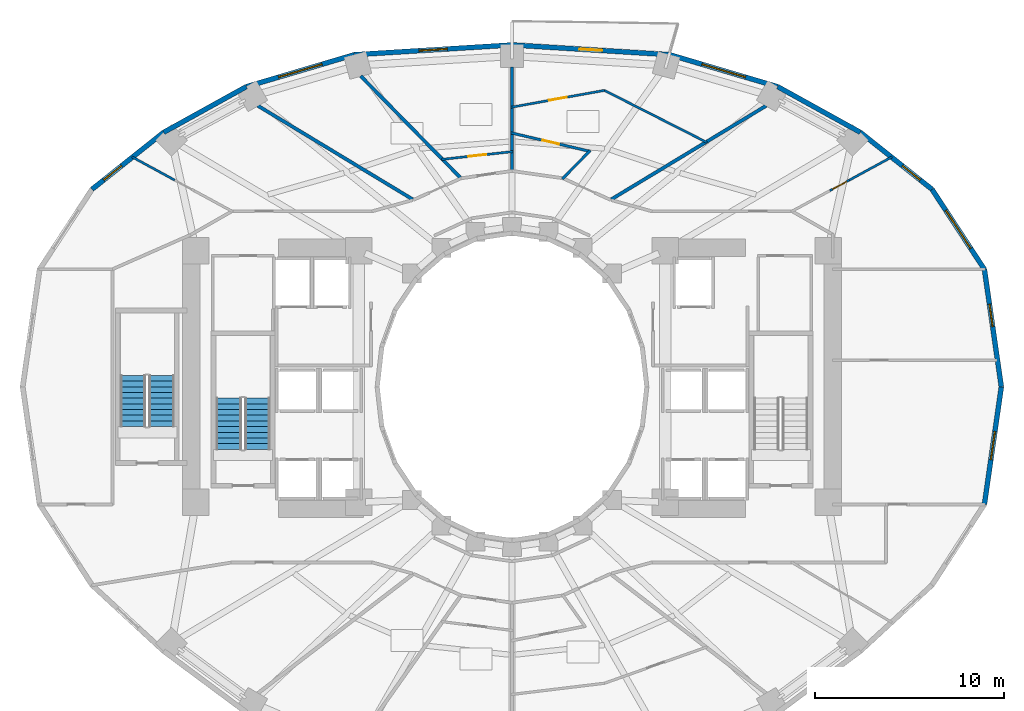
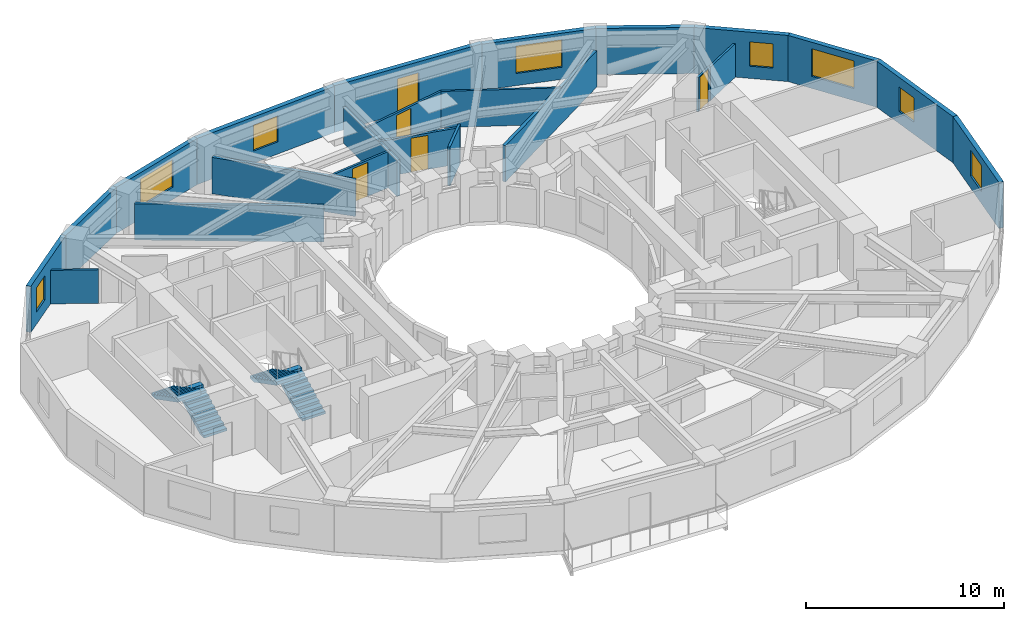
# One storey, part 7 of 10: 23 walls, 8 windows, 5 doors, 4 stair flights, 13 openings, 2 elements without a shape of their own.
"""IFC4 building model written with IfcOpenShell, lengths in metres."""

from ifc_helpers import new_model, si_unit, direction, frame, frame_2d, origin, place, context, subcontext, project, spatial, polyline, rectangle, outline, extrude, material, layer, layer_set, type_object, element, fill, aggregate, save


model = new_model("IFC4")

# Units and contexts
model_context = context("Model", 3, precision=1e-05, world=origin(), true_north=direction((0.0, 1.0)))
body_context = subcontext(model_context, "Body", "Model", "MODEL_VIEW")
ifc_project = project(units=[si_unit("LENGTHUNIT", "METRE"), si_unit("AREAUNIT", "SQUARE_METRE"), si_unit("VOLUMEUNIT", "CUBIC_METRE"), si_unit("PLANEANGLEUNIT", "RADIAN"), si_unit("MASSUNIT", "GRAM", prefix="KILO")], contexts=[model_context])

# Site, building, storey
site_placement = place(None, origin())
site = spatial("IfcSite", under=ifc_project, at=site_placement, CompositionType="ELEMENT")
building_placement = place(site_placement, origin())
building = spatial("IfcBuilding", under=site, at=building_placement, Name="Solvane Sanctuary Tower", CompositionType="ELEMENT")
storey_placement = place(building_placement, frame((0.0, 0.0, 58.60009765625)))
storey = spatial("IfcBuildingStorey", under=building, at=storey_placement, Name="L17", CompositionType="ELEMENT", Elevation=58.60009765625)

# Wall, opening, window
ifc_material_1 = material(Name="Precast concrete C40/50", Category="concrete")
ifc_layer_1 = layer(ifc_material_1, 0.260009765625, Name="Precast concrete C40/50")
ifc_layer_set_1 = layer_set([ifc_layer_1], Name="Precast concrete C40/50")
wall_type_1 = type_object("IfcWallType", Name="Wall W-EXT-250", PredefinedType="STANDARD", material=ifc_layer_set_1)
wall_1_placement = place(storey_placement, frame((57.860107421875, 23.0, 0.0), z_axis=(0.0, 0.0, 1.0), x_axis=(-0.142528001686, 0.989790770181, 0.0)))
wall_1 = element("IfcWall", 1, at=wall_1_placement, inside=storey, type_object=wall_type_1, Name="L17 Ceramic-Printed Facade Wall 00", PredefinedType="STANDARD", context=body_context, shape_type="SweptSolid", body=[
    extrude(rectangle(XDim=6.269287109375, YDim=0.260009765625, at=frame_2d((3.134765625, 0.0))), origin(), (0.0, 0.0, 1.0), 2.849853515625),
])
opening_1_placement = place(wall_1_placement, frame((3.216796875, 0.0, 0.75)))
opening_1 = element("IfcOpeningElement", 2, at=opening_1_placement, cuts=wall_1, Name="Opening WN-OPER-1200", PredefinedType="OPENING", context=body_context, shape_type="SweptSolid", body=[
    extrude(rectangle(XDim=1.199951171875, YDim=1.5, at=frame_2d((0.60009765625, 0.75))), frame((0.0, 0.139892578125, 0.0), z_axis=(0.0, -1.0, 0.0), x_axis=(1.0, 0.0, 0.0)), (0.0, 0.0, 1.0), 0.280029296875),
])
ifc_material_2 = material(Name="Dark Ceramic-Fritted Low-E Glass", Category="glass")
window_type_1 = type_object("IfcWindowType", Name="Window WN-OPER-1200", PartitioningType="SINGLE_PANEL", PredefinedType="WINDOW", material=ifc_material_2)
window_1_placement = place(opening_1_placement, origin())
window_1 = element("IfcWindow", 3, at=window_1_placement, inside=storey, type_object=window_type_1, Name="L17 Operable Facade Window 00", OverallHeight=1.5, OverallWidth=1.199951171875, PartitioningType="SINGLE_PANEL", PredefinedType="WINDOW", context=body_context, shape_type="SweptSolid", body=[
    extrude(rectangle(XDim=1.199951171875, YDim=1.5, at=frame_2d((0.60009765625, 0.75))), frame((0.0, 0.030029296875, 0.0), z_axis=(0.0, -1.0, 0.0), x_axis=(1.0, 0.0, 0.0)), (0.0, 0.0, 1.0), 0.06005859375),
])
fill(opening_1, window_1)

wall_2_placement = place(storey_placement, frame((56.966552734375, 29.205322265625, 0.0), z_axis=(0.0, 0.0, 1.0), x_axis=(-0.547702757047, 0.836672988642, 0.0)))
wall_2 = element("IfcWall", 4, at=wall_2_placement, inside=storey, type_object=wall_type_1, Name="L17 Ceramic-Printed Facade Wall 01", PredefinedType="STANDARD", context=body_context, shape_type="SweptSolid", body=[
    extrude(rectangle(XDim=5.0625, YDim=0.260009765625, at=frame_2d((2.53125, 0.0))), origin(), (0.0, 0.0, 1.0), 2.849853515625),
])
opening_2_placement = place(wall_2_placement, frame((1.331298828125, 0.0, 0.75)))
opening_2 = element("IfcOpeningElement", 5, at=opening_2_placement, cuts=wall_2, Name="Opening WN-RIB-2400", PredefinedType="OPENING", context=body_context, shape_type="SweptSolid", body=[
    extrude(rectangle(XDim=2.39990234375, YDim=1.699951171875, at=frame_2d((1.199951171875, 0.85009765625))), frame((0.0, 0.139892578125, 0.0), z_axis=(0.0, -1.0, 0.0), x_axis=(1.0, 0.0, 0.0)), (0.0, 0.0, 1.0), 0.280029296875),
])
window_type_2 = type_object("IfcWindowType", Name="Window WN-RIB-2400", PartitioningType="SINGLE_PANEL", PredefinedType="WINDOW", material=ifc_material_2)
window_2_placement = place(opening_2_placement, origin())
window_2 = element("IfcWindow", 6, at=window_2_placement, inside=storey, type_object=window_type_2, Name="L17 Operable Facade Window 01", OverallHeight=1.699951171875, OverallWidth=2.39990234375, PartitioningType="SINGLE_PANEL", PredefinedType="WINDOW", context=body_context, shape_type="SweptSolid", body=[
    extrude(rectangle(XDim=2.39990234375, YDim=1.699951171875, at=frame_2d((1.199951171875, 0.85009765625))), frame((0.0, 0.030029296875, 0.0), z_axis=(0.0, -1.0, 0.0), x_axis=(1.0, 0.0, 0.0)), (0.0, 0.0, 1.0), 0.06005859375),
])
fill(opening_2, window_2)

wall_3_placement = place(storey_placement, frame((54.19384765625, 33.44091796875, 0.0), z_axis=(0.0, 0.0, 1.0), x_axis=(-0.783123133379, 0.621866672179, 0.0)))
wall_3 = element("IfcWall", 7, at=wall_3_placement, inside=storey, type_object=wall_type_1, Name="L17 Ceramic-Printed Facade Wall 02", PredefinedType="STANDARD", context=body_context, shape_type="SweptSolid", body=[
    extrude(rectangle(XDim=4.838623046875, YDim=0.260009765625, at=frame_2d((2.41943359375, 0.0))), origin(), (0.0, 0.0, 1.0), 2.849853515625),
])
opening_3_placement = place(wall_3_placement, frame((0.789306640625, 0.0, 0.75)))
opening_3 = element("IfcOpeningElement", 8, at=opening_3_placement, cuts=wall_3, Name="Opening WN-OPER-1200", PredefinedType="OPENING", context=body_context, shape_type="SweptSolid", body=[
    extrude(rectangle(XDim=1.199951171875, YDim=1.5, at=frame_2d((0.60009765625, 0.75))), frame((0.0, 0.139892578125, 0.0), z_axis=(0.0, -1.0, 0.0), x_axis=(1.0, 0.0, 0.0)), (0.0, 0.0, 1.0), 0.280029296875),
])
window_3_placement = place(opening_3_placement, origin())
window_3 = element("IfcWindow", 9, at=window_3_placement, inside=storey, type_object=window_type_1, Name="L17 Operable Facade Window 02", OverallHeight=1.5, OverallWidth=1.199951171875, PartitioningType="SINGLE_PANEL", PredefinedType="WINDOW", context=body_context, shape_type="SweptSolid", body=[
    extrude(rectangle(XDim=1.199951171875, YDim=1.5, at=frame_2d((0.60009765625, 0.75))), frame((0.0, 0.030029296875, 0.0), z_axis=(0.0, -1.0, 0.0), x_axis=(1.0, 0.0, 0.0)), (0.0, 0.0, 1.0), 0.06005859375),
])
fill(opening_3, window_3)

# Wall
wall_4_placement = place(storey_placement, frame((50.404541015625, 36.449951171875, 0.0), z_axis=(0.0, 0.0, 1.0), x_axis=(-0.875137303239, 0.483874674352, 0.0)))
element("IfcWall", 10, at=wall_4_placement, inside=storey, type_object=wall_type_1, Name="L17 Ceramic-Printed Facade Wall 03", PredefinedType="STANDARD", context=body_context, shape_type="SweptSolid", body=[
    extrude(rectangle(XDim=4.985107421875, YDim=0.260009765625, at=frame_2d((2.49267578125, 0.0))), origin(), (0.0, 0.0, 1.0), 2.849853515625),
])

# Wall, opening, window
wall_5_placement = place(storey_placement, frame((46.0419921875, 38.862060546875, 0.0), z_axis=(0.0, 0.0, 1.0), x_axis=(-0.958843593522, 0.283934786811, 0.0)))
wall_5 = element("IfcWall", 11, at=wall_5_placement, inside=storey, type_object=wall_type_1, Name="L17 Ceramic-Printed Facade Wall 04", PredefinedType="STANDARD", context=body_context, shape_type="SweptSolid", body=[
    extrude(rectangle(XDim=5.955322265625, YDim=0.260009765625, at=frame_2d((2.9775390625, 0.0))), origin(), (0.0, 0.0, 1.0), 2.849853515625),
])
opening_4_placement = place(wall_5_placement, frame((1.777587890625, 0.0, 0.75)))
opening_4 = element("IfcOpeningElement", 12, at=opening_4_placement, cuts=wall_5, Name="Opening WN-RIB-2400", PredefinedType="OPENING", context=body_context, shape_type="SweptSolid", body=[
    extrude(rectangle(XDim=2.39990234375, YDim=1.699951171875, at=frame_2d((1.199951171875, 0.85009765625))), frame((0.0, 0.139892578125, 0.0), z_axis=(0.0, -1.0, 0.0), x_axis=(1.0, 0.0, 0.0)), (0.0, 0.0, 1.0), 0.280029296875),
])
window_4_placement = place(opening_4_placement, origin())
window_4 = element("IfcWindow", 13, at=window_4_placement, inside=storey, type_object=window_type_2, Name="L17 Operable Facade Window 04", OverallHeight=1.699951171875, OverallWidth=2.39990234375, PartitioningType="SINGLE_PANEL", PredefinedType="WINDOW", context=body_context, shape_type="SweptSolid", body=[
    extrude(rectangle(XDim=2.39990234375, YDim=1.699951171875, at=frame_2d((1.199951171875, 0.85009765625))), frame((0.0, 0.030029296875, 0.0), z_axis=(0.0, -1.0, 0.0), x_axis=(1.0, 0.0, 0.0)), (0.0, 0.0, 1.0), 0.06005859375),
])
fill(opening_4, window_4)

# Wall, opening, door
wall_6_placement = place(storey_placement, frame((40.331787109375, 40.552978515625, 0.0), z_axis=(0.0, 0.0, 1.0), x_axis=(-0.998090514779, 0.061768311519, 0.0)))
wall_6 = element("IfcWall", 14, at=wall_6_placement, inside=storey, type_object=wall_type_1, Name="L17 Balcony Facade Wall NC", PredefinedType="STANDARD", context=body_context, shape_type="SweptSolid", body=[
    extrude(rectangle(XDim=8.34765625, YDim=0.260009765625, at=frame_2d((4.173828125, 0.0))), origin(), (0.0, 0.0, 1.0), 2.8798828125),
])
opening_5_placement = place(wall_6_placement, frame((3.57373046875, 0.0, 0.0)))
opening_5 = element("IfcOpeningElement", 15, at=opening_5_placement, cuts=wall_6, Name="Opening D-L17-01", PredefinedType="OPENING", context=body_context, shape_type="SweptSolid", body=[
    extrude(rectangle(XDim=1.199951171875, YDim=2.199951171875, at=frame_2d((0.60009765625, 1.10009765625))), frame((0.0, 0.139892578125, 0.0), z_axis=(0.0, -1.0, 0.0), x_axis=(1.0, 0.0, 0.0)), (0.0, 0.0, 1.0), 0.280029296875),
])
ifc_material_3 = material(Name="Anodised Aluminium 6063-T6", Category="aluminium")
door_type_1 = type_object("IfcDoorType", Name="Door D-BALC-1200", OperationType="NOTDEFINED", PredefinedType="DOOR", material=ifc_material_3)
door_1_placement = place(opening_5_placement, origin())
door_1 = element("IfcDoor", 16, at=door_1_placement, inside=storey, type_object=door_type_1, Name="L17 Glazed Balcony Door NC", OperationType="SINGLE_SWING_RIGHT", OverallHeight=2.199951171875, OverallWidth=1.199951171875, PredefinedType="DOOR", context=body_context, shape_type="SweptSolid", body=[
    extrude(rectangle(XDim=1.199951171875, YDim=2.199951171875, at=frame_2d((0.60009765625, 1.10009765625))), frame((0.0, 0.02490234375, 0.0), z_axis=(0.0, -1.0, 0.0), x_axis=(1.0, 0.0, 0.0)), (0.0, 0.0, 1.0), 0.050048828125),
])
fill(opening_5, door_1)

# Wall, opening, window
wall_7_placement = place(storey_placement, frame((32.0, 41.068603515625, 0.0), z_axis=(0.0, 0.0, 1.0), x_axis=(-0.998090514779, -0.061768311519, 0.0)))
wall_7 = element("IfcWall", 17, at=wall_7_placement, inside=storey, type_object=wall_type_1, Name="L17 Ceramic-Printed Facade Wall 06", PredefinedType="STANDARD", context=body_context, shape_type="SweptSolid", body=[
    extrude(rectangle(XDim=8.34765625, YDim=0.260009765625, at=frame_2d((4.173828125, 0.0))), origin(), (0.0, 0.0, 1.0), 2.849853515625),
])
opening_6_placement = place(wall_7_placement, frame((3.423828125, 0.0, 0.75)))
opening_6 = element("IfcOpeningElement", 18, at=opening_6_placement, cuts=wall_7, Name="Opening WN-OPER-1500", PredefinedType="OPENING", context=body_context, shape_type="SweptSolid", body=[
    extrude(rectangle(XDim=1.5, YDim=1.60009765625, at=frame_2d((0.75, 0.800048828125))), frame((0.0, 0.139892578125, 0.0), z_axis=(0.0, -1.0, 0.0), x_axis=(1.0, 0.0, 0.0)), (0.0, 0.0, 1.0), 0.280029296875),
])
window_type_3 = type_object("IfcWindowType", Name="Window WN-OPER-1500", PartitioningType="SINGLE_PANEL", PredefinedType="WINDOW", material=ifc_material_2)
window_5_placement = place(opening_6_placement, origin())
window_5 = element("IfcWindow", 19, at=window_5_placement, inside=storey, type_object=window_type_3, Name="L17 Operable Facade Window 06", OverallHeight=1.60009765625, OverallWidth=1.5, PartitioningType="SINGLE_PANEL", PredefinedType="WINDOW", context=body_context, shape_type="SweptSolid", body=[
    extrude(rectangle(XDim=1.5, YDim=1.60009765625, at=frame_2d((0.75, 0.800048828125))), frame((0.0, 0.030029296875, 0.0), z_axis=(0.0, -1.0, 0.0), x_axis=(1.0, 0.0, 0.0)), (0.0, 0.0, 1.0), 0.06005859375),
])
fill(opening_6, window_5)

wall_8_placement = place(storey_placement, frame((23.668212890625, 40.552978515625, 0.0), z_axis=(0.0, 0.0, 1.0), x_axis=(-0.958843593522, -0.283934786811, 0.0)))
wall_8 = element("IfcWall", 20, at=wall_8_placement, inside=storey, type_object=wall_type_1, Name="L17 Ceramic-Printed Facade Wall 07", PredefinedType="STANDARD", context=body_context, shape_type="SweptSolid", body=[
    extrude(rectangle(XDim=5.955322265625, YDim=0.260009765625, at=frame_2d((2.9775390625, 0.0))), origin(), (0.0, 0.0, 1.0), 2.849853515625),
])
opening_7_placement = place(wall_8_placement, frame((1.777587890625, 0.0, 0.75)))
opening_7 = element("IfcOpeningElement", 21, at=opening_7_placement, cuts=wall_8, Name="Opening WN-RIB-2400", PredefinedType="OPENING", context=body_context, shape_type="SweptSolid", body=[
    extrude(rectangle(XDim=2.39990234375, YDim=1.699951171875, at=frame_2d((1.199951171875, 0.85009765625))), frame((0.0, 0.139892578125, 0.0), z_axis=(0.0, -1.0, 0.0), x_axis=(1.0, 0.0, 0.0)), (0.0, 0.0, 1.0), 0.280029296875),
])
window_6_placement = place(opening_7_placement, origin())
window_6 = element("IfcWindow", 22, at=window_6_placement, inside=storey, type_object=window_type_2, Name="L17 Operable Facade Window 07", OverallHeight=1.699951171875, OverallWidth=2.39990234375, PartitioningType="SINGLE_PANEL", PredefinedType="WINDOW", context=body_context, shape_type="SweptSolid", body=[
    extrude(rectangle(XDim=2.39990234375, YDim=1.699951171875, at=frame_2d((1.199951171875, 0.85009765625))), frame((0.0, 0.030029296875, 0.0), z_axis=(0.0, -1.0, 0.0), x_axis=(1.0, 0.0, 0.0)), (0.0, 0.0, 1.0), 0.06005859375),
])
fill(opening_7, window_6)

# Wall
wall_9_placement = place(storey_placement, frame((17.9580078125, 38.862060546875, 0.0), z_axis=(0.0, 0.0, 1.0), x_axis=(-0.875137303239, -0.483874674352, 0.0)))
element("IfcWall", 23, at=wall_9_placement, inside=storey, type_object=wall_type_1, Name="L17 Ceramic-Printed Facade Wall 08", PredefinedType="STANDARD", context=body_context, shape_type="SweptSolid", body=[
    extrude(rectangle(XDim=4.985107421875, YDim=0.260009765625, at=frame_2d((2.49267578125, 0.0))), origin(), (0.0, 0.0, 1.0), 2.849853515625),
])

# Wall, opening, window
wall_10_placement = place(storey_placement, frame((13.595458984375, 36.449951171875, 0.0), z_axis=(0.0, 0.0, 1.0), x_axis=(-0.783123133379, -0.621866672179, 0.0)))
wall_10 = element("IfcWall", 24, at=wall_10_placement, inside=storey, type_object=wall_type_1, Name="L17 Ceramic-Printed Facade Wall 09", PredefinedType="STANDARD", context=body_context, shape_type="SweptSolid", body=[
    extrude(rectangle(XDim=4.838623046875, YDim=0.260009765625, at=frame_2d((2.41943359375, 0.0))), origin(), (0.0, 0.0, 1.0), 2.849853515625),
])
opening_8_placement = place(wall_10_placement, frame((2.84912109375, 0.0, 0.75)))
opening_8 = element("IfcOpeningElement", 25, at=opening_8_placement, cuts=wall_10, Name="Opening WN-OPER-1200", PredefinedType="OPENING", context=body_context, shape_type="SweptSolid", body=[
    extrude(rectangle(XDim=1.199951171875, YDim=1.5, at=frame_2d((0.60009765625, 0.75))), frame((0.0, 0.139892578125, 0.0), z_axis=(0.0, -1.0, 0.0), x_axis=(1.0, 0.0, 0.0)), (0.0, 0.0, 1.0), 0.280029296875),
])
window_7_placement = place(opening_8_placement, origin())
window_7 = element("IfcWindow", 26, at=window_7_placement, inside=storey, type_object=window_type_1, Name="L17 Operable Facade Window 09", OverallHeight=1.5, OverallWidth=1.199951171875, PartitioningType="SINGLE_PANEL", PredefinedType="WINDOW", context=body_context, shape_type="SweptSolid", body=[
    extrude(rectangle(XDim=1.199951171875, YDim=1.5, at=frame_2d((0.60009765625, 0.75))), frame((0.0, 0.030029296875, 0.0), z_axis=(0.0, -1.0, 0.0), x_axis=(1.0, 0.0, 0.0)), (0.0, 0.0, 1.0), 0.06005859375),
])
fill(opening_8, window_7)

wall_11_placement = place(storey_placement, frame((56.966552734375, 16.794677734375, 0.0), z_axis=(0.0, 0.0, 1.0), x_axis=(0.142528001686, 0.989790770181, 0.0)))
wall_11 = element("IfcWall", 27, at=wall_11_placement, inside=storey, type_object=wall_type_1, Name="L17 Ceramic-Printed Facade Wall 23", PredefinedType="STANDARD", context=body_context, shape_type="SweptSolid", body=[
    extrude(rectangle(XDim=6.269287109375, YDim=0.260009765625, at=frame_2d((3.134765625, 0.0))), origin(), (0.0, 0.0, 1.0), 2.849853515625),
])
opening_9_placement = place(wall_11_placement, frame((2.384521484375, 0.0, 0.75)))
opening_9 = element("IfcOpeningElement", 28, at=opening_9_placement, cuts=wall_11, Name="Opening WN-OPER-1500", PredefinedType="OPENING", context=body_context, shape_type="SweptSolid", body=[
    extrude(rectangle(XDim=1.5, YDim=1.60009765625, at=frame_2d((0.75, 0.800048828125))), frame((0.0, 0.139892578125, 0.0), z_axis=(0.0, -1.0, 0.0), x_axis=(1.0, 0.0, 0.0)), (0.0, 0.0, 1.0), 0.280029296875),
])
window_8_placement = place(opening_9_placement, origin())
window_8 = element("IfcWindow", 29, at=window_8_placement, inside=storey, type_object=window_type_3, Name="L17 Operable Facade Window 23", OverallHeight=1.60009765625, OverallWidth=1.5, PartitioningType="SINGLE_PANEL", PredefinedType="WINDOW", context=body_context, shape_type="SweptSolid", body=[
    extrude(rectangle(XDim=1.5, YDim=1.60009765625, at=frame_2d((0.75, 0.800048828125))), frame((0.0, 0.030029296875, 0.0), z_axis=(0.0, -1.0, 0.0), x_axis=(1.0, 0.0, 0.0)), (0.0, 0.0, 1.0), 0.06005859375),
])
fill(opening_9, window_8)

# Wall, opening, door
ifc_material_4 = material(Name="Acoustic Gypsum Partition Board")
ifc_layer_2 = layer(ifc_material_4, 0.1201171875, Name="Acoustic Gypsum Partition Board")
ifc_layer_set_2 = layer_set([ifc_layer_2], Name="Acoustic Gypsum Partition Board")
wall_type_2 = type_object("IfcWallType", Name="Wall W-MOV-100", PredefinedType="MOVABLE", material=ifc_layer_set_2)
wall_12_placement = place(storey_placement, frame((48.800048828125, 33.3671875, 0.0), z_axis=(0.0, 0.0, 1.0), x_axis=(0.878540750178, 0.4776674055, 0.0)))
wall_12 = element("IfcWall", 30, at=wall_12_placement, inside=storey, type_object=wall_type_2, Name="L17 NE Corner Suite Partition", PredefinedType="MOVABLE", context=body_context, shape_type="SweptSolid", body=[
    extrude(rectangle(XDim=1.169921875, YDim=0.1201171875, at=frame_2d((0.5849609375, 0.0))), origin(), (0.0, 0.0, 1.0), 2.10986328125),
])
opening_10_placement = place(wall_12_placement, frame((0.159912109375, 0.0, 0.0)))
opening_10 = element("IfcOpeningElement", 31, at=opening_10_placement, cuts=wall_12, Name="Opening D-L17-13", PredefinedType="OPENING", context=body_context, shape_type="SweptSolid", body=[
    extrude(rectangle(XDim=0.85009765625, YDim=2.050048828125, at=frame_2d((0.425048828125, 1.02490234375))), frame((0.0, 0.070068359375, 0.0), z_axis=(0.0, -1.0, 0.0), x_axis=(1.0, 0.0, 0.0)), (0.0, 0.0, 1.0), 0.14013671875),
])
ifc_material_5 = material(Name="Architectural Stainless Steel 316", Category="steel")
door_type_2 = type_object("IfcDoorType", Name="Door D-RISER", OperationType="NOTDEFINED", PredefinedType="DOOR", material=ifc_material_5)
door_2_placement = place(opening_10_placement, origin())
door_2 = element("IfcDoor", 32, at=door_2_placement, inside=storey, type_object=door_type_2, Name="L17 NE Corner Suite Door", OperationType="SINGLE_SWING_RIGHT", OverallHeight=2.050048828125, OverallWidth=0.85009765625, PredefinedType="DOOR", context=body_context, shape_type="SweptSolid", body=[
    extrude(rectangle(XDim=0.85009765625, YDim=2.050048828125, at=frame_2d((0.425048828125, 1.02490234375))), frame((0.0, 0.02490234375, 0.0), z_axis=(0.0, -1.0, 0.0), x_axis=(1.0, 0.0, 0.0)), (0.0, 0.0, 1.0), 0.050048828125),
])
fill(opening_10, door_2)

# Walls
for number, where, z_axis, x_axis, name in (
    (33, (49.827880859375, 33.926025390625, 0.0), (0.0, 0.0, 1.0), (0.878524579981, 0.477697145029, 0.0), "L17 NE Corner Suite Partition"),
    (34, (14.172119140625, 33.926025390625, 0.0), (0.0, 0.0, 1.0), (-0.878524579981, 0.477697145029, 0.0), "L17 NW Corner Suite Partition"),
):
    element("IfcWall", number, at=place(storey_placement, frame(where, z_axis=z_axis, x_axis=x_axis)), inside=storey, type_object=wall_type_2, Name=name, PredefinedType="MOVABLE", context=body_context, shape_type="SweptSolid", body=[
        extrude(rectangle(XDim=2.56298828125, YDim=0.1201171875, at=frame_2d((1.281494140625, 0.0))), origin(), (0.0, 0.0, 1.0), 2.06884765625),
    ])
wall_13_placement = place(storey_placement, frame((42.3046875, 35.9140625, 0.0), z_axis=(0.0, 0.0, 1.0), x_axis=(-0.891749407737, 0.452529550195, 0.0)))
element("IfcWall", 35, at=wall_13_placement, inside=storey, type_object=wall_type_2, Name="L17 Suite Sitting Lounge Partition N1", PredefinedType="MOVABLE", context=body_context, shape_type="SweptSolid", body=[
    extrude(rectangle(XDim=6.08984375, YDim=0.1201171875, at=frame_2d((3.044921875, 0.0))), origin(), (0.0, 0.0, 1.0), 2.23681640625),
])

# Wall, opening, door
wall_14_placement = place(storey_placement, frame((36.892578125, 38.667236328125, 0.0), z_axis=(0.0, 0.0, 1.0), x_axis=(-0.983992567634, -0.178209502665, 0.0)))
wall_14 = element("IfcWall", 36, at=wall_14_placement, inside=storey, type_object=wall_type_2, Name="L17 Suite Sitting Lounge Partition N1", PredefinedType="MOVABLE", context=body_context, shape_type="SweptSolid", body=[
    extrude(rectangle(XDim=5.022216796875, YDim=0.1201171875, at=frame_2d((2.51123046875, 0.0))), origin(), (0.0, 0.0, 1.0), 2.23681640625),
])
opening_11_placement = place(wall_14_placement, frame((2.0361328125, 0.0, 0.0)))
opening_11 = element("IfcOpeningElement", 37, at=opening_11_placement, cuts=wall_14, Name="Opening D-L17-20", PredefinedType="OPENING", context=body_context, shape_type="SweptSolid", body=[
    extrude(rectangle(XDim=0.949951171875, YDim=2.10009765625, at=frame_2d((0.47509765625, 1.050048828125))), frame((0.0, 0.070068359375, 0.0), z_axis=(0.0, -1.0, 0.0), x_axis=(1.0, 0.0, 0.0)), (0.0, 0.0, 1.0), 0.14013671875),
])
ifc_material_6 = material(Name="Engineered Tropical Hardwood", Category="wood")
door_type_3 = type_object("IfcDoorType", Name="Door D-ROOM-950", OperationType="NOTDEFINED", PredefinedType="DOOR", material=ifc_material_6)
door_3_placement = place(opening_11_placement, origin())
door_3 = element("IfcDoor", 38, at=door_3_placement, inside=storey, type_object=door_type_3, Name="L17 Suite Sitting Lounge Door N1", OperationType="SINGLE_SWING_LEFT", OverallHeight=2.10009765625, OverallWidth=0.949951171875, PredefinedType="DOOR", context=body_context, shape_type="SweptSolid", body=[
    extrude(rectangle(XDim=0.949951171875, YDim=2.10009765625, at=frame_2d((0.47509765625, 1.050048828125))), frame((0.0, 0.02490234375, 0.0), z_axis=(0.0, -1.0, 0.0), x_axis=(1.0, 0.0, 0.0)), (0.0, 0.0, 1.0), 0.050048828125),
])
fill(opening_11, door_3)

wall_15_placement = place(storey_placement, frame((32.0498046875, 35.43212890625, 0.0), z_axis=(0.0, 0.0, 1.0), x_axis=(-0.993997647441, -0.109401448263, 0.0)))
wall_15 = element("IfcWall", 39, at=wall_15_placement, inside=storey, type_object=wall_type_2, Name="L17 Suite Sitting Lounge Partition N2", PredefinedType="MOVABLE", context=body_context, shape_type="SweptSolid", body=[
    extrude(rectangle(XDim=3.798095703125, YDim=0.1201171875, at=frame_2d((1.89892578125, 0.0))), origin(), (0.0, 0.0, 1.0), 2.23681640625),
])
opening_12_placement = place(wall_15_placement, frame((1.424072265625, 0.0, 0.0)))
opening_12 = element("IfcOpeningElement", 40, at=opening_12_placement, cuts=wall_15, Name="Opening D-L17-23", PredefinedType="OPENING", context=body_context, shape_type="SweptSolid", body=[
    extrude(rectangle(XDim=0.949951171875, YDim=2.10009765625, at=frame_2d((0.47509765625, 1.050048828125))), frame((0.0, 0.070068359375, 0.0), z_axis=(0.0, -1.0, 0.0), x_axis=(1.0, 0.0, 0.0)), (0.0, 0.0, 1.0), 0.14013671875),
])
door_4_placement = place(opening_12_placement, origin())
door_4 = element("IfcDoor", 41, at=door_4_placement, inside=storey, type_object=door_type_3, Name="L17 Suite Sitting Lounge Door N2", OperationType="SINGLE_SWING_RIGHT", OverallHeight=2.10009765625, OverallWidth=0.949951171875, PredefinedType="DOOR", context=body_context, shape_type="SweptSolid", body=[
    extrude(rectangle(XDim=0.949951171875, YDim=2.10009765625, at=frame_2d((0.47509765625, 1.050048828125))), frame((0.0, 0.02490234375, 0.0), z_axis=(0.0, -1.0, 0.0), x_axis=(1.0, 0.0, 0.0)), (0.0, 0.0, 1.0), 0.050048828125),
])
fill(opening_12, door_4)

# Walls
ifc_layer_3 = layer(ifc_material_4, 0.179931640625, Name="Acoustic Gypsum Partition Board")
ifc_layer_set_3 = layer_set([ifc_layer_3], Name="Acoustic Gypsum Partition Board")
wall_type_3 = type_object("IfcWallType", Name="Wall W-UNIT-180", PredefinedType="PARTITIONING", material=ifc_layer_set_3)
wall_16_placement = place(storey_placement, frame((37.252197265625, 32.909912109375, 0.0), z_axis=(0.0, 0.0, 1.0), x_axis=(0.855817136021, 0.517278483694, 0.0)))
element("IfcWall", 42, at=wall_16_placement, inside=storey, type_object=wall_type_3, Name="L17 Radial Compartment Wall 060", PredefinedType="PARTITIONING", context=body_context, shape_type="SweptSolid", body=[
    extrude(rectangle(XDim=9.56396484375, YDim=0.179931640625, at=frame_2d((4.781982421875, 0.0))), origin(), (0.0, 0.0, 1.0), 2.23681640625),
])
wall_17_placement = place(storey_placement, frame((32.0, 34.465087890625, 0.0), z_axis=(0.0, 0.0, 1.0), x_axis=(0.0, 1.0, 0.0)))
element("IfcWall", 43, at=wall_17_placement, inside=storey, type_object=wall_type_3, Name="L17 Radial Compartment Wall 090", PredefinedType="PARTITIONING", context=body_context, shape_type="SweptSolid", body=[
    extrude(rectangle(XDim=5.434814453125, YDim=0.179931640625, at=frame_2d((2.71728515625, 0.0))), origin(), (0.0, 0.0, 1.0), 2.23681640625),
])
wall_18_placement = place(storey_placement, frame((29.26708984375, 34.060546875, 0.0), z_axis=(0.0, 0.0, 1.0), x_axis=(-0.700234780085, 0.713912636644, 0.0)))
element("IfcWall", 44, at=wall_18_placement, inside=storey, type_object=wall_type_3, Name="L17 Radial Compartment Wall 105", PredefinedType="PARTITIONING", context=body_context, shape_type="SweptSolid", body=[
    extrude(rectangle(XDim=7.5146484375, YDim=0.179931640625, at=frame_2d((3.75732421875, 0.0))), origin(), (0.0, 0.0, 1.0), 2.23681640625),
])
wall_19_placement = place(storey_placement, frame((26.747802734375, 32.909912109375, 0.0), z_axis=(0.0, 0.0, 1.0), x_axis=(-0.855817136021, 0.517278483694, 0.0)))
element("IfcWall", 45, at=wall_19_placement, inside=storey, type_object=wall_type_3, Name="L17 Radial Compartment Wall 120", PredefinedType="PARTITIONING", context=body_context, shape_type="SweptSolid", body=[
    extrude(rectangle(XDim=9.56396484375, YDim=0.179931640625, at=frame_2d((4.781982421875, 0.0))), origin(), (0.0, 0.0, 1.0), 2.23681640625),
])
ifc_layer_4 = layer(ifc_material_4, 0.139892578125, Name="Acoustic Gypsum Partition Board")
ifc_layer_set_4 = layer_set([ifc_layer_4], Name="Acoustic Gypsum Partition Board")
wall_type_4 = type_object("IfcWallType", Name="Wall W-WET-140", PredefinedType="PLUMBINGWALL", material=ifc_layer_set_4)
wall_20_placement = place(storey_placement, frame((34.6591796875, 33.985595703125, 0.0), z_axis=(0.0, 0.0, 1.0), x_axis=(0.700331728855, 0.713817532398, 0.0)))
element("IfcWall", 46, at=wall_20_placement, inside=storey, type_object=wall_type_4, Name="L17 En-suite Side Partition N1", PredefinedType="PLUMBINGWALL", context=body_context, shape_type="SweptSolid", body=[
    extrude(rectangle(XDim=2.10009765625, YDim=0.139892578125, at=frame_2d((1.050048828125, 0.0))), origin(), (0.0, 0.0, 1.0), 2.385009765625),
])

# Wall, opening, door
wall_21_placement = place(storey_placement, frame((36.1435546875, 35.4375, 0.0), z_axis=(0.0, 0.0, 1.0), x_axis=(-0.973546394015, 0.228489427982, 0.0)))
wall_21 = element("IfcWall", 47, at=wall_21_placement, inside=storey, type_object=wall_type_4, Name="L17 En-suite Bedroom Wall N1", PredefinedType="PLUMBINGWALL", context=body_context, shape_type="SweptSolid", body=[
    extrude(rectangle(XDim=4.30615234375, YDim=0.139892578125, at=frame_2d((2.153076171875, 0.0))), origin(), (0.0, 0.0, 1.0), 2.23681640625),
])
opening_13_placement = place(wall_21_placement, frame((1.702880859375, 0.0, 0.0)))
opening_13 = element("IfcOpeningElement", 48, at=opening_13_placement, cuts=wall_21, Name="Opening D-L17-21", PredefinedType="OPENING", context=body_context, shape_type="SweptSolid", body=[
    extrude(rectangle(XDim=0.89990234375, YDim=2.10009765625, at=frame_2d((0.449951171875, 1.050048828125))), frame((0.0, 0.079833984375, 0.0), z_axis=(0.0, -1.0, 0.0), x_axis=(1.0, 0.0, 0.0)), (0.0, 0.0, 1.0), 0.159912109375),
])
door_type_4 = type_object("IfcDoorType", Name="Door D-WET-900", OperationType="NOTDEFINED", PredefinedType="DOOR", material=ifc_material_6)
door_5_placement = place(opening_13_placement, origin())
door_5 = element("IfcDoor", 49, at=door_5_placement, inside=storey, type_object=door_type_4, Name="L17 En-suite Bathroom Door N1", OperationType="SINGLE_SWING_RIGHT", OverallHeight=2.10009765625, OverallWidth=0.89990234375, PredefinedType="DOOR", context=body_context, shape_type="SweptSolid", body=[
    extrude(rectangle(XDim=0.89990234375, YDim=2.10009765625, at=frame_2d((0.449951171875, 1.050048828125))), frame((0.0, 0.02490234375, 0.0), z_axis=(0.0, -1.0, 0.0), x_axis=(1.0, 0.0, 0.0)), (0.0, 0.0, 1.0), 0.050048828125),
])
fill(opening_13, door_5)

# Stair, stair flights
ifc_material_7 = material(Name="Concrete C45/55", Category="concrete")
stair_type = type_object("IfcStairType", Name="Stair ST-TOW", PredefinedType="HALF_TURN_STAIR", material=ifc_material_7)
stair_1_placement = place(storey_placement, origin())
stair_1 = element("IfcStair", 50, at=stair_1_placement, inside=storey, type_object=stair_type, Name="L17 Exit Stair ST-1 West Core", PredefinedType="HALF_TURN_STAIR")
stair_flight_type = type_object("IfcStairFlightType", Name="StairFlight SF-TOW", PredefinedType="STRAIGHT", material=ifc_material_7)
stair_flight_1_placement = place(storey_placement, frame((18.544921875, 19.699951171875, 0.0), z_axis=(0.0, 0.0, 1.0), x_axis=(0.0, 1.0, 0.0)))
stair_flight_1 = element("IfcStairFlight", 51, at=stair_flight_1_placement, type_object=stair_flight_type, Name="ST-1 flight 1", NumberOfRisers=10, NumberOfTreads=9, PredefinedType="STRAIGHT", RiserHeight=0.155, TreadLength=0.3, context=body_context, shape_type="SweptSolid", body=[
    extrude(outline(polyline([(0.0, 0.0), (0.0, 0.155029296875), (0.300048828125, 0.155029296875), (0.300048828125, 0.31005859375), (0.60009765625, 0.31005859375), (0.60009765625, 0.465087890625), (0.89990234375, 0.465087890625), (0.89990234375, 0.6201171875), (1.199951171875, 0.6201171875), (1.199951171875, 0.77490234375), (1.5, 0.77490234375), (1.5, 0.929931640625), (1.800048828125, 0.929931640625), (1.800048828125, 1.0849609375), (2.10009765625, 1.0849609375), (2.10009765625, 1.239990234375), (2.39990234375, 1.239990234375), (2.39990234375, 1.39501953125), (2.699951171875, 1.39501953125), (2.699951171875, 1.550048828125), (2.699951171875, 1.1923828125), (0.39208984375, 0.0), (0.0, 0.0)])), frame((0.0, 0.675048828125, 0.0), z_axis=(0.0, -1.0, 0.0), x_axis=(1.0, 0.0, 0.0)), (0.0, 0.0, 1.0), 1.35009765625),
])
stair_flight_2_placement = place(storey_placement, frame((17.034912109375, 22.39990234375, 1.5498046875), z_axis=(0.0, 0.0, 1.0), x_axis=(0.0, -1.0, 0.0)))
stair_flight_2 = element("IfcStairFlight", 52, at=stair_flight_2_placement, type_object=stair_flight_type, Name="ST-1 flight 2", NumberOfRisers=10, NumberOfTreads=9, PredefinedType="STRAIGHT", RiserHeight=0.155, TreadLength=0.3, context=body_context, shape_type="SweptSolid", body=[
    extrude(outline(polyline([(0.0, 0.0), (0.0, 0.155029296875), (0.300048828125, 0.155029296875), (0.300048828125, 0.31005859375), (0.60009765625, 0.31005859375), (0.60009765625, 0.465087890625), (0.89990234375, 0.465087890625), (0.89990234375, 0.6201171875), (1.199951171875, 0.6201171875), (1.199951171875, 0.77490234375), (1.5, 0.77490234375), (1.5, 0.929931640625), (1.800048828125, 0.929931640625), (1.800048828125, 1.0849609375), (2.10009765625, 1.0849609375), (2.10009765625, 1.239990234375), (2.39990234375, 1.239990234375), (2.39990234375, 1.39501953125), (2.699951171875, 1.39501953125), (2.699951171875, 1.550048828125), (2.699951171875, 1.1923828125), (0.39208984375, 0.0), (0.0, 0.0)])), frame((0.0, 0.675048828125, 0.0), z_axis=(0.0, -1.0, 0.0), x_axis=(1.0, 0.0, 0.0)), (0.0, 0.0, 1.0), 1.35009765625),
])
aggregate(stair_1, [stair_flight_1, stair_flight_2])

stair_2_placement = place(storey_placement, origin())
stair_2 = element("IfcStair", 53, at=stair_2_placement, inside=storey, type_object=stair_type, Name="L17 Exit Stair ST-3 Pilgrim Tower Stair", PredefinedType="HALF_TURN_STAIR")
stair_flight_3_placement = place(storey_placement, frame((13.485107421875, 20.89990234375, 0.0), z_axis=(0.0, 0.0, 1.0), x_axis=(0.0, 1.0, 0.0)))
stair_flight_3 = element("IfcStairFlight", 54, at=stair_flight_3_placement, type_object=stair_flight_type, Name="ST-3 flight 1", NumberOfRisers=10, NumberOfTreads=9, PredefinedType="STRAIGHT", RiserHeight=0.155, TreadLength=0.3, context=body_context, shape_type="SweptSolid", body=[
    extrude(outline(polyline([(0.0, 0.0), (0.0, 0.155029296875), (0.300048828125, 0.155029296875), (0.300048828125, 0.31005859375), (0.60009765625, 0.31005859375), (0.60009765625, 0.465087890625), (0.89990234375, 0.465087890625), (0.89990234375, 0.6201171875), (1.199951171875, 0.6201171875), (1.199951171875, 0.77490234375), (1.5, 0.77490234375), (1.5, 0.929931640625), (1.800048828125, 0.929931640625), (1.800048828125, 1.0849609375), (2.10009765625, 1.0849609375), (2.10009765625, 1.239990234375), (2.39990234375, 1.239990234375), (2.39990234375, 1.39501953125), (2.699951171875, 1.39501953125), (2.699951171875, 1.550048828125), (2.699951171875, 1.1923828125), (0.39208984375, 0.0), (0.0, 0.0)])), frame((0.0, 0.675048828125, 0.0), z_axis=(0.0, -1.0, 0.0), x_axis=(1.0, 0.0, 0.0)), (0.0, 0.0, 1.0), 1.35009765625),
])
stair_flight_4_placement = place(storey_placement, frame((11.97509765625, 23.60009765625, 1.5498046875), z_axis=(0.0, 0.0, 1.0), x_axis=(0.0, -1.0, 0.0)))
stair_flight_4 = element("IfcStairFlight", 55, at=stair_flight_4_placement, type_object=stair_flight_type, Name="ST-3 flight 2", NumberOfRisers=10, NumberOfTreads=9, PredefinedType="STRAIGHT", RiserHeight=0.155, TreadLength=0.3, context=body_context, shape_type="SweptSolid", body=[
    extrude(outline(polyline([(0.0, 0.0), (0.0, 0.155029296875), (0.300048828125, 0.155029296875), (0.300048828125, 0.31005859375), (0.60009765625, 0.31005859375), (0.60009765625, 0.465087890625), (0.89990234375, 0.465087890625), (0.89990234375, 0.6201171875), (1.199951171875, 0.6201171875), (1.199951171875, 0.77490234375), (1.5, 0.77490234375), (1.5, 0.929931640625), (1.800048828125, 0.929931640625), (1.800048828125, 1.0849609375), (2.10009765625, 1.0849609375), (2.10009765625, 1.239990234375), (2.39990234375, 1.239990234375), (2.39990234375, 1.39501953125), (2.699951171875, 1.39501953125), (2.699951171875, 1.550048828125), (2.699951171875, 1.1923828125), (0.39208984375, 0.0), (0.0, 0.0)])), frame((0.0, 0.675048828125, 0.0), z_axis=(0.0, -1.0, 0.0), x_axis=(1.0, 0.0, 0.0)), (0.0, 0.0, 1.0), 1.35009765625),
])
aggregate(stair_2, [stair_flight_3, stair_flight_4])

save(model, "model.ifc")
